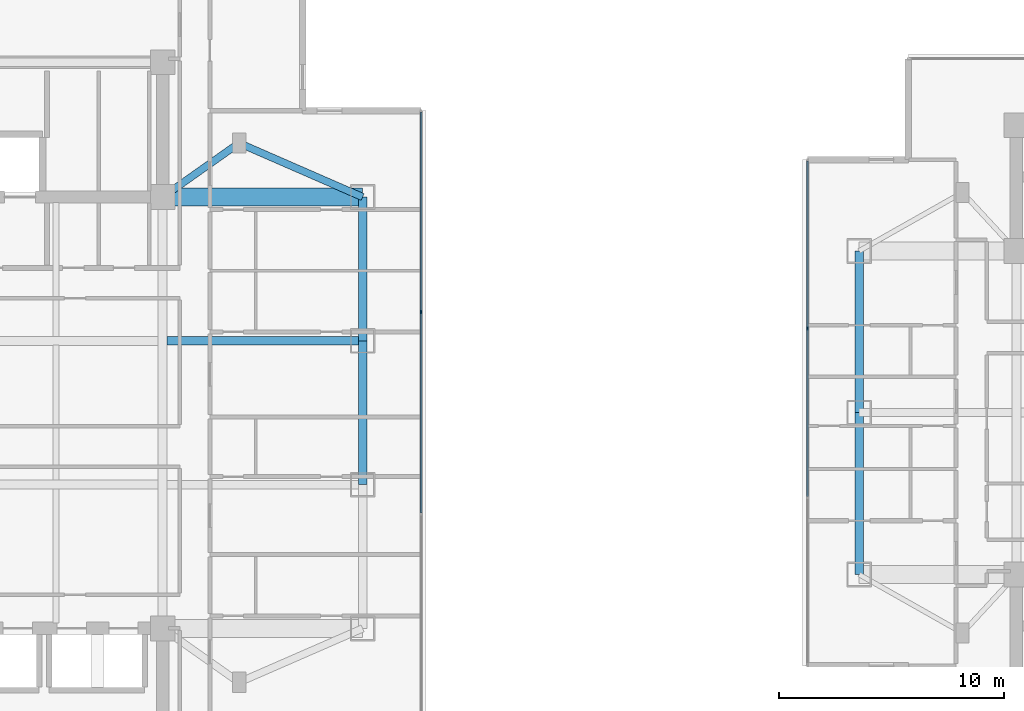
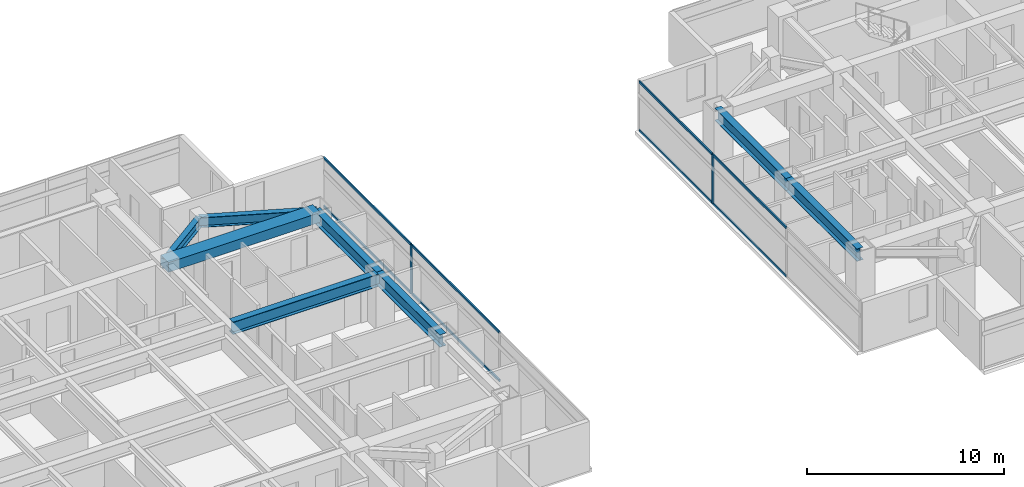
# One storey, part 5 of 25: 10 members, 8 beams, 2 elements without a shape of their own.
"""IFC4 building model written with IfcOpenShell, lengths in metres."""

from ifc_helpers import new_model, si_unit, direction, frame, origin, origin_2d, place, context, subcontext, project, spatial, rectangle, i_section, extrude, material, material_profile, profile_set, type_object, element, aggregate, save


model = new_model("IFC4")

# Units and contexts
model_context = context("Model", 3, precision=1e-05, world=origin(), true_north=direction((0.0, 1.0)))
body_context = subcontext(model_context, "Body", "Model", "MODEL_VIEW")
ifc_project = project(units=[si_unit("LENGTHUNIT", "METRE"), si_unit("AREAUNIT", "SQUARE_METRE"), si_unit("VOLUMEUNIT", "CUBIC_METRE"), si_unit("PLANEANGLEUNIT", "RADIAN"), si_unit("MASSUNIT", "GRAM", prefix="KILO")], contexts=[model_context])

# Site, building, storey
site_placement = place(None, origin())
site = spatial("IfcSite", under=ifc_project, at=site_placement, CompositionType="ELEMENT")
building_placement = place(site_placement, origin())
building = spatial("IfcBuilding", under=site, at=building_placement, Name="Mirazonda Arch Towers", CompositionType="ELEMENT")
storey_placement = place(building_placement, frame((0.0, 0.0, 131.300048828125)))
storey = spatial("IfcBuildingStorey", under=building, at=storey_placement, Name="L37", CompositionType="ELEMENT", Elevation=131.300048828125)

# Beams
ifc_material_1 = material(Name="Steel ASTM A992 Grade 50", Category="steel")
ifc_material_profile_1 = material_profile(ifc_material_1, i_section(OverallWidth=0.381103515625, OverallDepth=0.77294921875, WebThickness=0.0166015625, FlangeThickness=0.027099609375, at=origin_2d()), Name="W30X173")
ifc_profile_set_1 = profile_set([ifc_material_profile_1], Name="Steel ASTM A992 Grade 50")
beam_type_1 = type_object("IfcBeamType", Name="BM-EXT-W30X173", PredefinedType="USERDEFINED", material=ifc_profile_set_1)
beam_1_placement = place(storey_placement, frame((38.89990234375, 24.800048828125, 2.693359375), z_axis=(0.0, 1.0, 0.0), x_axis=(-1.0, 0.0, 0.0)))
element("IfcBeam", 1, at=beam_1_placement, inside=storey, type_object=beam_type_1, Name="L37 Floor Beam BM-T1-L37-NS-E-24", ObjectType="GIRDER", PredefinedType="USERDEFINED", context=body_context, shape_type="SweptSolid", body=[
    extrude(i_section(OverallWidth=0.381103515625, OverallDepth=0.77294921875, WebThickness=0.0166015625, FlangeThickness=0.027099609375, at=origin_2d()), origin(), (0.0, 0.0, 1.0), 6.39990234375),
])
beam_2_placement = place(storey_placement, frame((38.89990234375, 31.199951171875, 2.693359375), z_axis=(0.0, 1.0, 0.0), x_axis=(-1.0, 0.0, 0.0)))
element("IfcBeam", 2, at=beam_2_placement, inside=storey, type_object=beam_type_1, Name="L37 Floor Beam BM-T1-L37-NS-E-31", ObjectType="GIRDER", PredefinedType="USERDEFINED", context=body_context, shape_type="SweptSolid", body=[
    extrude(i_section(OverallWidth=0.381103515625, OverallDepth=0.77294921875, WebThickness=0.0166015625, FlangeThickness=0.027099609375, at=origin_2d()), origin(), (0.0, 0.0, 1.0), 6.400146484375),
])
for number, where, z_axis, x_axis, name in (
    (3, (61.0, 20.800048828125, 2.693359375), (0.0, 1.0, 0.0), (-1.0, 0.0, 0.0), "L37 Floor Beam BM-T2-L37-NS-W-20"),
    (4, (61.0, 28.0, 2.693359375), (0.0, 1.0, 0.0), (-1.0, 0.0, 0.0), "L37 Floor Beam BM-T2-L37-NS-W-28"),
):
    element("IfcBeam", number, at=place(storey_placement, frame(where, z_axis=z_axis, x_axis=x_axis)), inside=storey, type_object=beam_type_1, Name=name, ObjectType="GIRDER", PredefinedType="USERDEFINED", context=body_context, shape_type="SweptSolid", body=[
        extrude(i_section(OverallWidth=0.381103515625, OverallDepth=0.77294921875, WebThickness=0.0166015625, FlangeThickness=0.027099609375, at=origin_2d()), origin(), (0.0, 0.0, 1.0), 7.199951171875),
    ])
ifc_material_profile_2 = material_profile(ifc_material_1, i_section(OverallWidth=0.324951171875, OverallDepth=0.615966796875, WebThickness=0.013916015625, FlangeThickness=0.021484375, at=origin_2d()), Name="W24X117")
ifc_profile_set_2 = profile_set([ifc_material_profile_2], Name="Steel ASTM A992 Grade 50")
beam_type_2 = type_object("IfcBeamType", Name="BM-INT-W24X117", PredefinedType="BEAM", material=ifc_profile_set_2)
beam_3_placement = place(storey_placement, frame((33.39990234375, 40.0, 2.77197265625), z_axis=(-0.816971114901, -0.576678591087, 0.0), x_axis=(0.576678591087, -0.816971114901, 0.0)))
element("IfcBeam", 5, at=beam_3_placement, inside=storey, type_object=beam_type_2, Name="L37 Floor Beam BM-T1-L37-PL-NE1", PredefinedType="BEAM", context=body_context, shape_type="SweptSolid", body=[
    extrude(i_section(OverallWidth=0.324951171875, OverallDepth=0.615966796875, WebThickness=0.013916015625, FlangeThickness=0.021484375, at=origin_2d()), origin(), (0.0, 0.0, 1.0), 4.16162109375),
])
beam_4_placement = place(storey_placement, frame((33.39990234375, 40.0, 2.77197265625), z_axis=(0.916545343703, -0.399930785183, 0.0), x_axis=(0.399930785183, 0.916545343703, 0.0)))
element("IfcBeam", 6, at=beam_4_placement, inside=storey, type_object=beam_type_2, Name="L37 Floor Beam BM-T1-L37-PL-NE2", PredefinedType="BEAM", context=body_context, shape_type="SweptSolid", body=[
    extrude(i_section(OverallWidth=0.324951171875, OverallDepth=0.615966796875, WebThickness=0.013916015625, FlangeThickness=0.021484375, at=origin_2d()), origin(), (0.0, 0.0, 1.0), 6.000732421875),
])
ifc_material_profile_3 = material_profile(ifc_material_1, i_section(OverallWidth=0.381103515625, OverallDepth=0.77294921875, WebThickness=0.0166015625, FlangeThickness=0.027099609375, at=origin_2d()), Name="W30X173")
ifc_profile_set_3 = profile_set([ifc_material_profile_3], Name="Steel ASTM A992 Grade 50")
beam_type_3 = type_object("IfcBeamType", Name="BM-INT-W30X173", PredefinedType="USERDEFINED", material=ifc_profile_set_3)
beam_5_placement = place(storey_placement, frame((30.199951171875, 31.199951171875, 2.693359375), z_axis=(1.0, 0.0, 0.0), x_axis=(0.0, 1.0, 0.0)))
element("IfcBeam", 7, at=beam_5_placement, inside=storey, type_object=beam_type_3, Name="L37 Floor Beam BM-T1-L37-GE3", ObjectType="GIRDER", PredefinedType="USERDEFINED", context=body_context, shape_type="SweptSolid", body=[
    extrude(i_section(OverallWidth=0.381103515625, OverallDepth=0.77294921875, WebThickness=0.0166015625, FlangeThickness=0.027099609375, at=origin_2d()), origin(), (0.0, 0.0, 1.0), 8.699951171875),
])
ifc_material_2 = material(Name="Concrete C60/75", Category="concrete")
ifc_material_profile_4 = material_profile(ifc_material_2, rectangle(XDim=0.800048828125, YDim=0.60009765625, at=origin_2d()), Name="RCCB800x600")
ifc_profile_set_4 = profile_set([ifc_material_profile_4], Name="Concrete C60/75")
beam_type_4 = type_object("IfcBeamType", Name="CB-INT-RCCB800x600", PredefinedType="SPANDREL", material=ifc_profile_set_4)
beam_6_placement = place(storey_placement, frame((30.0, 37.60009765625, 2.780029296875), z_axis=(1.0, 0.0, 0.0), x_axis=(0.0, 1.0, 0.0)))
element("IfcBeam", 8, at=beam_6_placement, inside=storey, type_object=beam_type_4, Name="L37 Floor Beam CBC-T1-L37-NE", PredefinedType="SPANDREL", context=body_context, shape_type="SweptSolid", body=[
    extrude(rectangle(XDim=0.800048828125, YDim=0.60009765625, at=origin_2d()), origin(), (0.0, 0.0, 1.0), 8.89990234375),
])

# Curtain wall, member
ifc_material_3 = material(Name="Anodised Aluminium and Low-E Glass", Category="aluminium")
curtain_wall_type = type_object("IfcCurtainWallType", Name="CW-HTL-UNIT", PredefinedType="NOTDEFINED", material=ifc_material_3)
curtain_wall_1_placement = place(storey_placement, origin())
curtain_wall_1 = element("IfcCurtainWall", 9, at=curtain_wall_1_placement, inside=storey, type_object=curtain_wall_type, Name="L37 T1 E Facade CW-L37-T1-E", PredefinedType="NOTDEFINED")
ifc_material_4 = material(Name="Anodised Aluminium Alloy", Category="aluminium")
ifc_material_profile_5 = material_profile(ifc_material_4, rectangle(XDim=0.074951171875, YDim=0.1650390625, at=origin_2d()), Name="ALU-MULL-75x165")
ifc_profile_set_5 = profile_set([ifc_material_profile_5], Name="Anodised Aluminium Alloy")
member_type_1 = type_object("IfcMemberType", Name="MULL-CW-HTL-UNIT", PredefinedType="MULLION", material=ifc_profile_set_5)
member_1_placement = place(storey_placement, frame((41.5, 32.480712890625, 0.0), z_axis=(0.0, 0.0, 1.0), x_axis=(-1.0, 0.0, 0.0)))
member_1 = element("IfcMember", 10, at=member_1_placement, type_object=member_type_1, Name="CW-112 mullion 3", PredefinedType="MULLION", context=body_context, shape_type="SweptSolid", body=[
    extrude(rectangle(XDim=0.074951171875, YDim=0.1650390625, at=origin_2d()), origin(), (0.0, 0.0, 1.0), 3.06005859375),
])

curtain_wall_2_placement = place(storey_placement, origin())
curtain_wall_2 = element("IfcCurtainWall", 11, at=curtain_wall_2_placement, inside=storey, type_object=curtain_wall_type, Name="L37 T2 W Facade CW-L37-T2-W", PredefinedType="NOTDEFINED")
member_2_placement = place(storey_placement, frame((58.702880859375, 31.755126953125, 0.0), z_axis=(0.0, 0.0, 1.0), x_axis=(1.0, 0.0, 0.0)))
member_2 = element("IfcMember", 12, at=member_2_placement, type_object=member_type_1, Name="CW-112 mullion 2", PredefinedType="MULLION", context=body_context, shape_type="SweptSolid", body=[
    extrude(rectangle(XDim=0.074951171875, YDim=0.1650390625, at=origin_2d()), origin(), (0.0, 0.0, 1.0), 3.06005859375),
])

# Member
ifc_material_profile_6 = material_profile(ifc_material_4, rectangle(XDim=0.074951171875, YDim=0.14501953125, at=origin_2d()), Name="ALU-TRAN-75x145")
ifc_profile_set_6 = profile_set([ifc_material_profile_6], Name="Anodised Aluminium Alloy")
member_type_2 = type_object("IfcMemberType", Name="TRAN-CW-HTL-UNIT", PredefinedType="USERDEFINED", material=ifc_profile_set_6)
member_3_placement = place(storey_placement, frame((41.5, 23.556884765625, 0.037353515625), z_axis=(0.0, 1.0, 0.0), x_axis=(-1.0, 0.0, 0.0)))
member_3 = element("IfcMember", 13, at=member_3_placement, type_object=member_type_2, Name="CW-112 transom 2.1", ObjectType="TRANSOM", PredefinedType="USERDEFINED", context=body_context, shape_type="SweptSolid", body=[
    extrude(rectangle(XDim=0.074951171875, YDim=0.14501953125, at=origin_2d()), origin(), (0.0, 0.0, 1.0), 8.88623046875),
])

member_4_placement = place(storey_placement, frame((41.5, 23.556884765625, 3.0224609375), z_axis=(0.0, 1.0, 0.0), x_axis=(-1.0, 0.0, 0.0)))
member_4 = element("IfcMember", 14, at=member_4_placement, type_object=member_type_2, Name="CW-112 transom 2.2", ObjectType="TRANSOM", PredefinedType="USERDEFINED", context=body_context, shape_type="SweptSolid", body=[
    extrude(rectangle(XDim=0.074951171875, YDim=0.14501953125, at=origin_2d()), origin(), (0.0, 0.0, 1.0), 8.88623046875),
])

member_5_placement = place(storey_placement, frame((41.5, 32.51806640625, 0.037353515625), z_axis=(0.0, 1.0, 0.0), x_axis=(-1.0, 0.0, 0.0)))
member_5 = element("IfcMember", 15, at=member_5_placement, type_object=member_type_2, Name="CW-112 transom 3.1", ObjectType="TRANSOM", PredefinedType="USERDEFINED", context=body_context, shape_type="SweptSolid", body=[
    extrude(rectangle(XDim=0.074951171875, YDim=0.14501953125, at=origin_2d()), origin(), (0.0, 0.0, 1.0), 8.848876953125),
])

member_6_placement = place(storey_placement, frame((41.5, 32.51806640625, 3.0224609375), z_axis=(0.0, 1.0, 0.0), x_axis=(-1.0, 0.0, 0.0)))
member_6 = element("IfcMember", 16, at=member_6_placement, type_object=member_type_2, Name="CW-112 transom 3.2", ObjectType="TRANSOM", PredefinedType="USERDEFINED", context=body_context, shape_type="SweptSolid", body=[
    extrude(rectangle(XDim=0.074951171875, YDim=0.14501953125, at=origin_2d()), origin(), (0.0, 0.0, 1.0), 8.848876953125),
])

aggregate(curtain_wall_1, [member_1, member_3, member_4, member_5, member_6])

member_7_placement = place(storey_placement, frame((58.702880859375, 39.190673828125, 0.037353515625), z_axis=(0.0, -1.0, 0.0), x_axis=(1.0, 0.0, 0.0)))
member_7 = element("IfcMember", 17, at=member_7_placement, type_object=member_type_2, Name="CW-112 transom 1.1", ObjectType="TRANSOM", PredefinedType="USERDEFINED", context=body_context, shape_type="SweptSolid", body=[
    extrude(rectangle(XDim=0.074951171875, YDim=0.14501953125, at=origin_2d()), origin(), (0.0, 0.0, 1.0), 7.39794921875),
])

member_8_placement = place(storey_placement, frame((58.702880859375, 39.190673828125, 3.0224609375), z_axis=(0.0, -1.0, 0.0), x_axis=(1.0, 0.0, 0.0)))
member_8 = element("IfcMember", 18, at=member_8_placement, type_object=member_type_2, Name="CW-112 transom 1.2", ObjectType="TRANSOM", PredefinedType="USERDEFINED", context=body_context, shape_type="SweptSolid", body=[
    extrude(rectangle(XDim=0.074951171875, YDim=0.14501953125, at=origin_2d()), origin(), (0.0, 0.0, 1.0), 7.39794921875),
])

member_9_placement = place(storey_placement, frame((58.702880859375, 31.7177734375, 0.037353515625), z_axis=(0.0, -1.0, 0.0), x_axis=(1.0, 0.0, 0.0)))
member_9 = element("IfcMember", 19, at=member_9_placement, type_object=member_type_2, Name="CW-112 transom 2.1", ObjectType="TRANSOM", PredefinedType="USERDEFINED", context=body_context, shape_type="SweptSolid", body=[
    extrude(rectangle(XDim=0.074951171875, YDim=0.14501953125, at=origin_2d()), origin(), (0.0, 0.0, 1.0), 7.435546875),
])

member_10_placement = place(storey_placement, frame((58.702880859375, 31.7177734375, 3.0224609375), z_axis=(0.0, -1.0, 0.0), x_axis=(1.0, 0.0, 0.0)))
member_10 = element("IfcMember", 20, at=member_10_placement, type_object=member_type_2, Name="CW-112 transom 2.2", ObjectType="TRANSOM", PredefinedType="USERDEFINED", context=body_context, shape_type="SweptSolid", body=[
    extrude(rectangle(XDim=0.074951171875, YDim=0.14501953125, at=origin_2d()), origin(), (0.0, 0.0, 1.0), 7.435546875),
])

aggregate(curtain_wall_2, [member_2, member_7, member_8, member_9, member_10])

save(model, "model.ifc")
